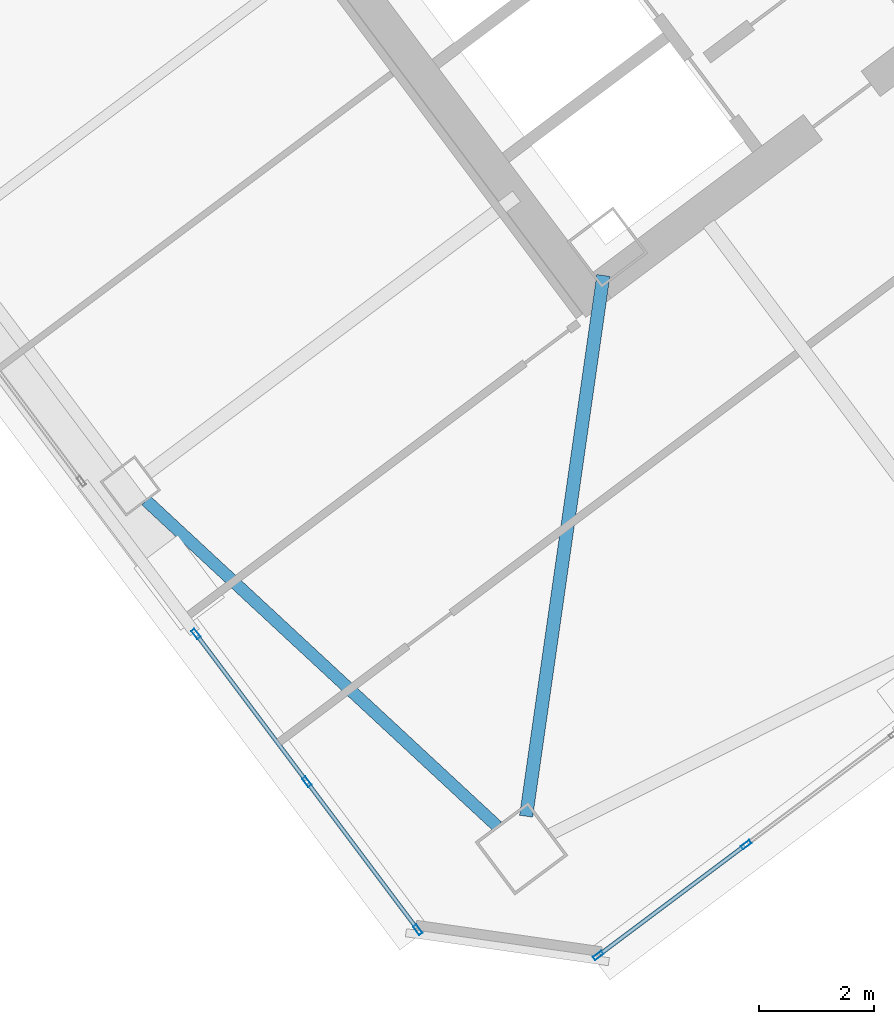
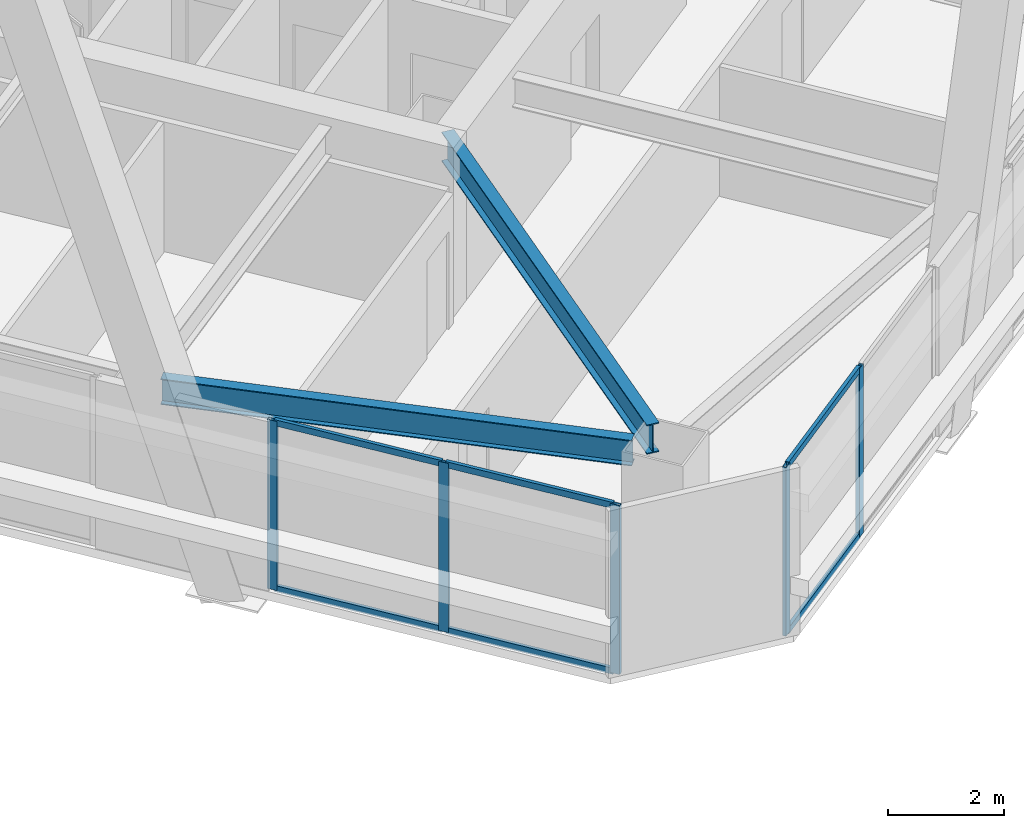
# One storey, part 25 of 55: 11 members, 2 beams, 2 elements without a shape of their own.
"""IFC4 building model written with IfcOpenShell, lengths in metres."""

from ifc_helpers import new_model, si_unit, direction, frame, origin, origin_2d, place, context, subcontext, project, spatial, hollow_rectangle, i_section, extrude, material, material_profile, profile_set, type_object, element, aggregate, save


model = new_model("IFC4")

# Units and contexts
model_context = context("Model", 3, precision=1e-05, world=origin(), true_north=direction((0.0, 1.0)))
body_context = subcontext(model_context, "Body", "Model", "MODEL_VIEW")
ifc_project = project(units=[si_unit("LENGTHUNIT", "METRE"), si_unit("AREAUNIT", "SQUARE_METRE"), si_unit("VOLUMEUNIT", "CUBIC_METRE"), si_unit("PLANEANGLEUNIT", "RADIAN"), si_unit("MASSUNIT", "GRAM", prefix="KILO")], contexts=[model_context])

# Site, building, storey
site_placement = place(None, origin())
site = spatial("IfcSite", under=ifc_project, at=site_placement, CompositionType="ELEMENT")
building_placement = place(site_placement, origin())
building = spatial("IfcBuilding", under=site, at=building_placement, Name="Tashvorn Skyway Center", CompositionType="ELEMENT")
storey_placement = place(building_placement, frame((0.0, 0.0, 178.300048828125)))
storey = spatial("IfcBuildingStorey", under=building, at=storey_placement, Name="L48", CompositionType="ELEMENT", Elevation=178.300048828125)

# Beams
ifc_material_1 = material(Name="Steel ASTM A992 Grade 50", Category="steel")
ifc_material_profile_1 = material_profile(ifc_material_1, i_section(OverallWidth=0.22998046875, OverallDepth=0.616943359375, WebThickness=0.01318359375, FlangeThickness=0.022216796875, at=origin_2d()), Name="W24X94")
ifc_profile_set_1 = profile_set([ifc_material_profile_1], Name="Steel ASTM A992 Grade 50")
beam_type_1 = type_object("IfcBeamType", Name="BM-BEAM-W24X94", PredefinedType="BEAM", material=ifc_profile_set_1)
beam_1_placement = place(storey_placement, frame((111.1806640625, 12.26416015625, 3.0615234375), z_axis=(0.141417747326, 0.989950009213, 0.0), x_axis=(-0.989950009213, 0.141417747326, 0.0)))
element("IfcBeam", 1, at=beam_1_placement, inside=storey, type_object=beam_type_1, Name="Tower 2 L48 Primary Floor Girder MC-SW", PredefinedType="BEAM", context=body_context, shape_type="SweptSolid", body=[
    extrude(i_section(OverallWidth=0.22998046875, OverallDepth=0.616943359375, WebThickness=0.01318359375, FlangeThickness=0.022216796875, at=origin_2d()), origin(), (0.0, 0.0, 1.0), 9.470947265625),
])
ifc_material_profile_2 = material_profile(ifc_material_1, i_section(OverallWidth=0.2109375, OverallDepth=0.5390625, WebThickness=0.01171875, FlangeThickness=0.018798828125, at=origin_2d()), Name="W21X73")
ifc_profile_set_2 = profile_set([ifc_material_profile_2], Name="Steel ASTM A992 Grade 50")
beam_type_2 = type_object("IfcBeamType", Name="BM-SPANDREL-W21X73", PredefinedType="SPANDREL", material=ifc_profile_set_2)
beam_2_placement = place(storey_placement, frame((104.59130859375, 17.73828125, 3.100341796875), z_axis=(0.733101115618, -0.680119661736, 0.0), x_axis=(0.680119661736, 0.733101115618, 0.0)))
element("IfcBeam", 2, at=beam_2_placement, inside=storey, type_object=beam_type_2, Name="Tower 2 L48 Spandrel Beam 12", PredefinedType="SPANDREL", context=body_context, shape_type="SweptSolid", body=[
    extrude(i_section(OverallWidth=0.2109375, OverallDepth=0.5390625, WebThickness=0.01171875, FlangeThickness=0.018798828125, at=origin_2d()), origin(), (0.0, 0.0, 1.0), 8.308349609375),
])

# Curtain wall, members
ifc_material_2 = material(Name="Thermally broken bronze-anodized aluminium 6063-T6", Category="aluminium")
curtain_wall_type = type_object("IfcCurtainWallType", Name="CW-CW-Z4", PredefinedType="NOTDEFINED", material=ifc_material_2)
curtain_wall_1_placement = place(storey_placement, origin())
curtain_wall_1 = element("IfcCurtainWall", 3, at=curtain_wall_1_placement, inside=storey, type_object=curtain_wall_type, Name="Tower 2 L48 South Unitised Curtain Wall Glazing Group 3", PredefinedType="NOTDEFINED")
ifc_material_profile_3 = material_profile(ifc_material_2, hollow_rectangle(XDim=0.070068359375, YDim=0.179931640625, WallThickness=0.00390625, at=origin_2d()), Name="ALU-MULL-70x180")
ifc_profile_set_3 = profile_set([ifc_material_profile_3], Name="Thermally broken bronze-anodized aluminium 6063-T6")
member_type_1 = type_object("IfcMemberType", Name="CWM-CW-Z4", PredefinedType="MULLION", material=ifc_profile_set_3)
member_1_placement = place(storey_placement, frame((114.99609375, 11.77197265625, 0.0), z_axis=(0.0, 0.0, 1.0), x_axis=(0.600000000002, -0.799999999998, 0.0)))
member_1 = element("IfcMember", 4, at=member_1_placement, type_object=member_type_1, Name="CW-Z4 mullion 2", PredefinedType="MULLION", context=body_context, shape_type="SweptSolid", body=[
    extrude(hollow_rectangle(XDim=0.070068359375, YDim=0.179931640625, WallThickness=0.00390625, at=origin_2d()), origin(), (0.0, 0.0, 1.0), 3.550048828125),
])
member_2_placement = place(storey_placement, frame((112.431884765625, 9.84912109375, 0.0), z_axis=(0.0, 0.0, 1.0), x_axis=(0.600000000002, -0.799999999998, 0.0)))
member_2 = element("IfcMember", 5, at=member_2_placement, type_object=member_type_1, Name="CW-Z4 mullion 3", PredefinedType="MULLION", context=body_context, shape_type="SweptSolid", body=[
    extrude(hollow_rectangle(XDim=0.070068359375, YDim=0.179931640625, WallThickness=0.00390625, at=origin_2d()), origin(), (0.0, 0.0, 1.0), 3.550048828125),
])

curtain_wall_2_placement = place(storey_placement, origin())
curtain_wall_2 = element("IfcCurtainWall", 6, at=curtain_wall_2_placement, inside=storey, type_object=curtain_wall_type, Name="Tower 2 L48 West Unitised Curtain Wall Glazing Group 1", PredefinedType="NOTDEFINED")
member_3_placement = place(storey_placement, frame((109.302978515625, 10.2958984375, 0.0), z_axis=(0.0, 0.0, 1.0), x_axis=(-0.799999999998, -0.600000000002, 0.0)))
member_3 = element("IfcMember", 7, at=member_3_placement, type_object=member_type_1, Name="CW-Z4 mullion 1", PredefinedType="MULLION", context=body_context, shape_type="SweptSolid", body=[
    extrude(hollow_rectangle(XDim=0.070068359375, YDim=0.179931640625, WallThickness=0.00390625, at=origin_2d()), origin(), (0.0, 0.0, 1.0), 3.550048828125),
])
member_4_placement = place(storey_placement, frame((107.3798828125, 12.860107421875, 0.0), z_axis=(0.0, 0.0, 1.0), x_axis=(-0.799999999998, -0.600000000002, 0.0)))
member_4 = element("IfcMember", 8, at=member_4_placement, type_object=member_type_1, Name="CW-Z4 mullion 2", PredefinedType="MULLION", context=body_context, shape_type="SweptSolid", body=[
    extrude(hollow_rectangle(XDim=0.070068359375, YDim=0.179931640625, WallThickness=0.00390625, at=origin_2d()), origin(), (0.0, 0.0, 1.0), 3.550048828125),
])
member_5_placement = place(storey_placement, frame((105.45703125, 15.424072265625, 0.0), z_axis=(0.0, 0.0, 1.0), x_axis=(-0.799999999998, -0.600000000002, 0.0)))
member_5 = element("IfcMember", 9, at=member_5_placement, type_object=member_type_1, Name="CW-Z4 mullion 3", PredefinedType="MULLION", context=body_context, shape_type="SweptSolid", body=[
    extrude(hollow_rectangle(XDim=0.070068359375, YDim=0.179931640625, WallThickness=0.00390625, at=origin_2d()), origin(), (0.0, 0.0, 1.0), 3.550048828125),
])

# Member
ifc_material_profile_4 = material_profile(ifc_material_2, hollow_rectangle(XDim=0.070068359375, YDim=0.1298828125, WallThickness=0.00390625, at=origin_2d()), Name="ALU-TRAN-70x130")
ifc_profile_set_4 = profile_set([ifc_material_profile_4], Name="Thermally broken bronze-anodized aluminium 6063-T6")
member_type_2 = type_object("IfcMemberType", Name="CWT-CW-Z4", PredefinedType="USERDEFINED", material=ifc_profile_set_4)
member_6_placement = place(storey_placement, frame((114.968017578125, 11.7509765625, 0.034912109375), z_axis=(-0.800028034763, -0.599962618496, 0.0), x_axis=(0.599962618496, -0.800028034763, 0.0)))
member_6 = element("IfcMember", 10, at=member_6_placement, type_object=member_type_2, Name="CW-Z4 transom 2.1", ObjectType="TRANSOM", PredefinedType="USERDEFINED", context=body_context, shape_type="SweptSolid", body=[
    extrude(hollow_rectangle(XDim=0.070068359375, YDim=0.1298828125, WallThickness=0.00390625, at=origin_2d()), origin(), (0.0, 0.0, 1.0), 3.135009765625),
])

member_7_placement = place(storey_placement, frame((114.968017578125, 11.7509765625, 3.514892578125), z_axis=(-0.800028034763, -0.599962618496, 0.0), x_axis=(0.599962618496, -0.800028034763, 0.0)))
member_7 = element("IfcMember", 11, at=member_7_placement, type_object=member_type_2, Name="CW-Z4 transom 2.2", ObjectType="TRANSOM", PredefinedType="USERDEFINED", context=body_context, shape_type="SweptSolid", body=[
    extrude(hollow_rectangle(XDim=0.070068359375, YDim=0.1298828125, WallThickness=0.00390625, at=origin_2d()), origin(), (0.0, 0.0, 1.0), 3.135009765625),
])

aggregate(curtain_wall_1, [member_1, member_2, member_6, member_7])

member_8_placement = place(storey_placement, frame((109.281982421875, 10.323974609375, 0.034912109375), z_axis=(-0.600012459628, 0.799990655127, 0.0), x_axis=(-0.799990655127, -0.600012459628, 0.0)))
member_8 = element("IfcMember", 12, at=member_8_placement, type_object=member_type_2, Name="CW-Z4 transom 1.1", ObjectType="TRANSOM", PredefinedType="USERDEFINED", context=body_context, shape_type="SweptSolid", body=[
    extrude(hollow_rectangle(XDim=0.070068359375, YDim=0.1298828125, WallThickness=0.00390625, at=origin_2d()), origin(), (0.0, 0.0, 1.0), 3.135009765625),
])

member_9_placement = place(storey_placement, frame((109.281982421875, 10.323974609375, 3.514892578125), z_axis=(-0.600012459628, 0.799990655127, 0.0), x_axis=(-0.799990655127, -0.600012459628, 0.0)))
member_9 = element("IfcMember", 13, at=member_9_placement, type_object=member_type_2, Name="CW-Z4 transom 1.2", ObjectType="TRANSOM", PredefinedType="USERDEFINED", context=body_context, shape_type="SweptSolid", body=[
    extrude(hollow_rectangle(XDim=0.070068359375, YDim=0.1298828125, WallThickness=0.00390625, at=origin_2d()), origin(), (0.0, 0.0, 1.0), 3.135009765625),
])

member_10_placement = place(storey_placement, frame((107.35888671875, 12.887939453125, 0.034912109375), z_axis=(-0.599962618496, 0.800028034763, 0.0), x_axis=(-0.800028034763, -0.599962618496, 0.0)))
member_10 = element("IfcMember", 14, at=member_10_placement, type_object=member_type_2, Name="CW-Z4 transom 2.1", ObjectType="TRANSOM", PredefinedType="USERDEFINED", context=body_context, shape_type="SweptSolid", body=[
    extrude(hollow_rectangle(XDim=0.070068359375, YDim=0.1298828125, WallThickness=0.00390625, at=origin_2d()), origin(), (0.0, 0.0, 1.0), 3.135009765625),
])

member_11_placement = place(storey_placement, frame((107.35888671875, 12.887939453125, 3.514892578125), z_axis=(-0.599962618496, 0.800028034763, 0.0), x_axis=(-0.800028034763, -0.599962618496, 0.0)))
member_11 = element("IfcMember", 15, at=member_11_placement, type_object=member_type_2, Name="CW-Z4 transom 2.2", ObjectType="TRANSOM", PredefinedType="USERDEFINED", context=body_context, shape_type="SweptSolid", body=[
    extrude(hollow_rectangle(XDim=0.070068359375, YDim=0.1298828125, WallThickness=0.00390625, at=origin_2d()), origin(), (0.0, 0.0, 1.0), 3.135009765625),
])

aggregate(curtain_wall_2, [member_3, member_4, member_5, member_8, member_9, member_10, member_11])

save(model, "model.ifc")
